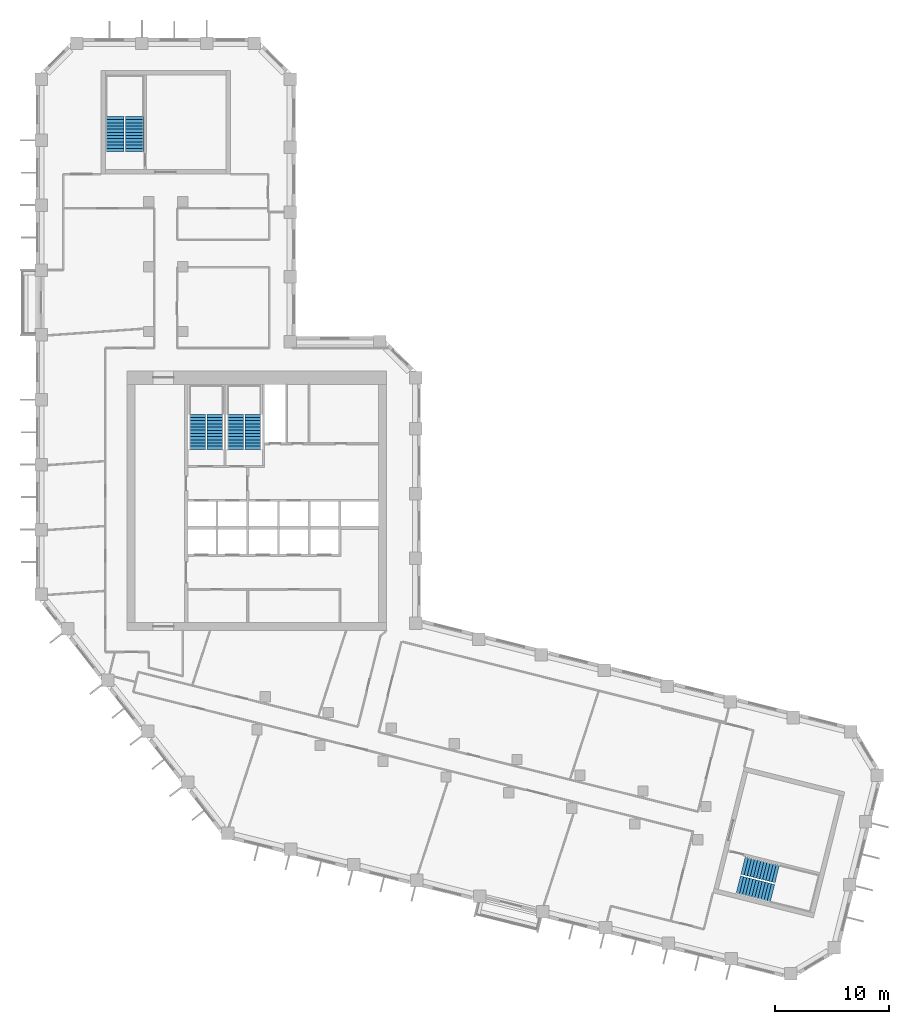
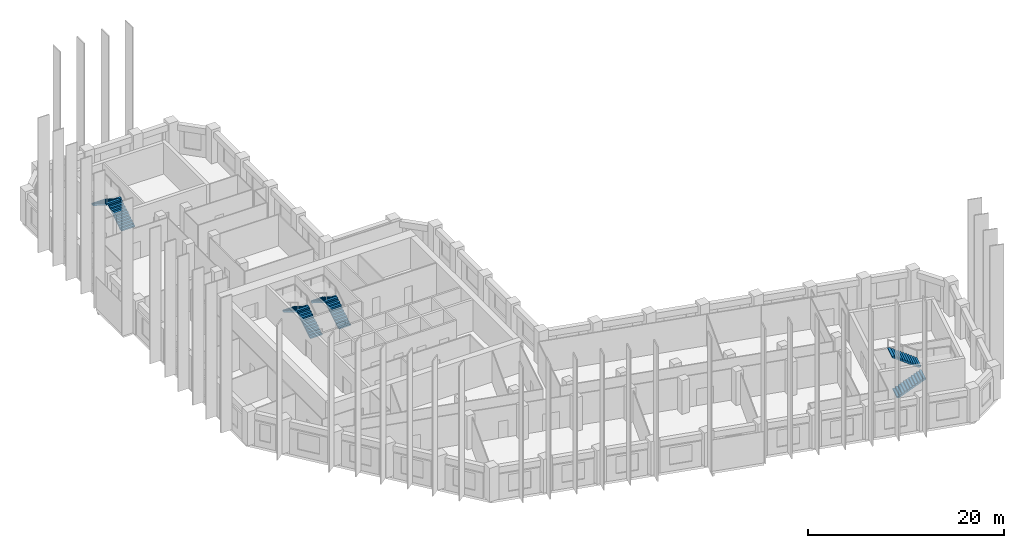
# One storey, part 9 of 10: 8 stair flights, 4 elements without a shape of their own.
"""IFC4 building model written with IfcOpenShell, lengths in metres."""

from ifc_helpers import new_model, si_unit, direction, frame, origin, place, context, subcontext, project, spatial, polyline, outline, extrude, material, type_object, element, aggregate, save


model = new_model("IFC4")

# Units and contexts
model_context = context("Model", 3, precision=1e-05, world=origin(), true_north=direction((0.0, 1.0)))
body_context = subcontext(model_context, "Body", "Model", "MODEL_VIEW")
ifc_project = project(units=[si_unit("LENGTHUNIT", "METRE"), si_unit("AREAUNIT", "SQUARE_METRE"), si_unit("VOLUMEUNIT", "CUBIC_METRE"), si_unit("PLANEANGLEUNIT", "RADIAN"), si_unit("MASSUNIT", "GRAM", prefix="KILO")], contexts=[model_context])

# Site, building, storey
site_placement = place(None, origin())
site = spatial("IfcSite", under=ifc_project, at=site_placement, CompositionType="ELEMENT")
building_placement = place(site_placement, origin())
building = spatial("IfcBuilding", under=site, at=building_placement, Name="Meshkara Civic Tower", CompositionType="ELEMENT")
storey_placement = place(building_placement, frame((0.0, 0.0, 242.39990234375)))
storey = spatial("IfcBuildingStorey", under=building, at=storey_placement, Name="L55", CompositionType="ELEMENT", Elevation=242.39990234375)

# Stair, stair flights
ifc_material_1 = material(Name="Precast concrete C40/50", Category="concrete")
stair_type_1 = type_object("IfcStairType", Name="Exit stair half-turn 24 risers 1600 precast", PredefinedType="HALF_TURN_STAIR", material=ifc_material_1)
stair_1_placement = place(storey_placement, origin())
stair_1 = element("IfcStair", 1, at=stair_1_placement, inside=storey, type_object=stair_type_1, Name="L55 exit stair A from L50", PredefinedType="HALF_TURN_STAIR")
ifc_material_2 = material(Name="Precast concrete C40/50", Category="concrete")
stair_flight_type_1 = type_object("IfcStairFlightType", Name="Exit stair flight 12 risers 1600 precast", PredefinedType="STRAIGHT", material=ifc_material_2)
stair_flight_1_placement = place(storey_placement, frame((8.675048828125, 56.169921875, 0.0), z_axis=(0.0, 0.0, 1.0), x_axis=(0.0, 1.0, 0.0)))
stair_flight_1 = element("IfcStairFlight", 2, at=stair_flight_1_placement, type_object=stair_flight_type_1, Name="ESA4 flight 1", NumberOfRisers=12, NumberOfTreads=11, PredefinedType="STRAIGHT", RiserHeight=0.175, TreadLength=0.28, context=body_context, shape_type="SweptSolid", body=[
    extrude(outline(polyline([(0.0, 0.0), (0.0, 0.175048828125), (0.280029296875, 0.175048828125), (0.280029296875, 0.35009765625), (0.56005859375, 0.35009765625), (0.56005859375, 0.52490234375), (0.840087890625, 0.52490234375), (0.840087890625, 0.699951171875), (1.1201171875, 0.699951171875), (1.1201171875, 0.875), (1.39990234375, 0.875), (1.39990234375, 1.050048828125), (1.679931640625, 1.050048828125), (1.679931640625, 1.22509765625), (1.9599609375, 1.22509765625), (1.9599609375, 1.39990234375), (2.239990234375, 1.39990234375), (2.239990234375, 1.574951171875), (2.52001953125, 1.574951171875), (2.52001953125, 1.75), (2.800048828125, 1.75), (2.800048828125, 1.925048828125), (3.080078125, 1.925048828125), (3.080078125, 2.10009765625), (3.080078125, 1.748291015625), (0.28271484375, 0.0), (0.0, 0.0)])), frame((0.0, 0.800048828125, 0.0), z_axis=(0.0, -1.0, 0.0), x_axis=(1.0, 0.0, 0.0)), (0.0, 0.0, 1.0), 1.60009765625),
])
stair_flight_2_placement = place(storey_placement, frame((6.925048828125, 59.25, 2.10009765625), z_axis=(0.0, 0.0, 1.0), x_axis=(0.0, -1.0, 0.0)))
stair_flight_2 = element("IfcStairFlight", 3, at=stair_flight_2_placement, type_object=stair_flight_type_1, Name="ESA4 flight 2", NumberOfRisers=12, NumberOfTreads=11, PredefinedType="STRAIGHT", RiserHeight=0.175, TreadLength=0.28, context=body_context, shape_type="SweptSolid", body=[
    extrude(outline(polyline([(0.0, 0.0), (0.0, 0.175048828125), (0.280029296875, 0.175048828125), (0.280029296875, 0.35009765625), (0.56005859375, 0.35009765625), (0.56005859375, 0.52490234375), (0.840087890625, 0.52490234375), (0.840087890625, 0.699951171875), (1.1201171875, 0.699951171875), (1.1201171875, 0.875), (1.39990234375, 0.875), (1.39990234375, 1.050048828125), (1.679931640625, 1.050048828125), (1.679931640625, 1.22509765625), (1.9599609375, 1.22509765625), (1.9599609375, 1.39990234375), (2.239990234375, 1.39990234375), (2.239990234375, 1.574951171875), (2.52001953125, 1.574951171875), (2.52001953125, 1.75), (2.800048828125, 1.75), (2.800048828125, 1.925048828125), (3.080078125, 1.925048828125), (3.080078125, 2.10009765625), (3.080078125, 1.748291015625), (0.28271484375, 0.0), (0.0, 0.0)])), frame((0.0, 0.800048828125, 0.0), z_axis=(0.0, -1.0, 0.0), x_axis=(1.0, 0.0, 0.0)), (0.0, 0.0, 1.0), 1.60009765625),
])
aggregate(stair_1, [stair_flight_1, stair_flight_2])

stair_2_placement = place(storey_placement, origin())
stair_2 = element("IfcStair", 4, at=stair_2_placement, inside=storey, type_object=stair_type_1, Name="L55 exit stair B from L50", PredefinedType="HALF_TURN_STAIR")
stair_flight_3_placement = place(storey_placement, frame((61.70751953125, -8.248291015625, 0.0), z_axis=(0.0, 0.0, 1.0), x_axis=(0.970260066579, -0.242064873955, 0.0)))
stair_flight_3 = element("IfcStairFlight", 5, at=stair_flight_3_placement, type_object=stair_flight_type_1, Name="ESB4 flight 1", NumberOfRisers=12, NumberOfTreads=11, PredefinedType="STRAIGHT", RiserHeight=0.175, TreadLength=0.28, context=body_context, shape_type="SweptSolid", body=[
    extrude(outline(polyline([(0.0, 0.0), (0.0, 0.175048828125), (0.280029296875, 0.175048828125), (0.280029296875, 0.35009765625), (0.56005859375, 0.35009765625), (0.56005859375, 0.52490234375), (0.840087890625, 0.52490234375), (0.840087890625, 0.699951171875), (1.1201171875, 0.699951171875), (1.1201171875, 0.875), (1.39990234375, 0.875), (1.39990234375, 1.050048828125), (1.679931640625, 1.050048828125), (1.679931640625, 1.22509765625), (1.9599609375, 1.22509765625), (1.9599609375, 1.39990234375), (2.239990234375, 1.39990234375), (2.239990234375, 1.574951171875), (2.52001953125, 1.574951171875), (2.52001953125, 1.75), (2.800048828125, 1.75), (2.800048828125, 1.925048828125), (3.080078125, 1.925048828125), (3.080078125, 2.10009765625), (3.080078125, 1.748291015625), (0.28271484375, 0.0), (0.0, 0.0)])), frame((0.0, 0.800048828125, 0.0), z_axis=(0.0, -1.0, 0.0), x_axis=(1.0, 0.0, 0.0)), (0.0, 0.0, 1.0), 1.60009765625),
])
stair_flight_4_placement = place(storey_placement, frame((65.11962890625, -7.2958984375, 2.10009765625), z_axis=(0.0, 0.0, 1.0), x_axis=(-0.970260066579, 0.242064873955, 0.0)))
stair_flight_4 = element("IfcStairFlight", 6, at=stair_flight_4_placement, type_object=stair_flight_type_1, Name="ESB4 flight 2", NumberOfRisers=12, NumberOfTreads=11, PredefinedType="STRAIGHT", RiserHeight=0.175, TreadLength=0.28, context=body_context, shape_type="SweptSolid", body=[
    extrude(outline(polyline([(0.0, 0.0), (0.0, 0.175048828125), (0.280029296875, 0.175048828125), (0.280029296875, 0.35009765625), (0.56005859375, 0.35009765625), (0.56005859375, 0.52490234375), (0.840087890625, 0.52490234375), (0.840087890625, 0.699951171875), (1.1201171875, 0.699951171875), (1.1201171875, 0.875), (1.39990234375, 0.875), (1.39990234375, 1.050048828125), (1.679931640625, 1.050048828125), (1.679931640625, 1.22509765625), (1.9599609375, 1.22509765625), (1.9599609375, 1.39990234375), (2.239990234375, 1.39990234375), (2.239990234375, 1.574951171875), (2.52001953125, 1.574951171875), (2.52001953125, 1.75), (2.800048828125, 1.75), (2.800048828125, 1.925048828125), (3.080078125, 1.925048828125), (3.080078125, 2.10009765625), (3.080078125, 1.748291015625), (0.28271484375, 0.0), (0.0, 0.0)])), frame((0.0, 0.800048828125, 0.0), z_axis=(0.0, -1.0, 0.0), x_axis=(1.0, 0.0, 0.0)), (0.0, 0.0, 1.0), 1.60009765625),
])
aggregate(stair_2, [stair_flight_3, stair_flight_4])

ifc_material_3 = material(Name="Precast concrete C40/50", Category="concrete")
stair_type_2 = type_object("IfcStairType", Name="Exit stair half-turn 24 risers precast", PredefinedType="HALF_TURN_STAIR", material=ifc_material_3)
stair_3_placement = place(storey_placement, origin())
stair_3 = element("IfcStair", 7, at=stair_3_placement, inside=storey, type_object=stair_type_2, Name="L55 exit stair 1", PredefinedType="HALF_TURN_STAIR")
ifc_material_4 = material(Name="Precast concrete C40/50", Category="concrete")
stair_flight_type_2 = type_object("IfcStairFlightType", Name="Exit stair flight 12 risers precast", PredefinedType="STRAIGHT", material=ifc_material_4)
stair_flight_5_placement = place(storey_placement, frame((15.72509765625, 30.0, 0.0), z_axis=(0.0, 0.0, 1.0), x_axis=(0.0, 1.0, 0.0)))
stair_flight_5 = element("IfcStairFlight", 8, at=stair_flight_5_placement, type_object=stair_flight_type_2, Name="ST1 flight 1", NumberOfRisers=12, NumberOfTreads=11, PredefinedType="STRAIGHT", RiserHeight=0.175, TreadLength=0.28, context=body_context, shape_type="SweptSolid", body=[
    extrude(outline(polyline([(0.0, 0.0), (0.0, 0.175048828125), (0.280029296875, 0.175048828125), (0.280029296875, 0.35009765625), (0.56005859375, 0.35009765625), (0.56005859375, 0.52490234375), (0.840087890625, 0.52490234375), (0.840087890625, 0.699951171875), (1.1201171875, 0.699951171875), (1.1201171875, 0.875), (1.39990234375, 0.875), (1.39990234375, 1.050048828125), (1.679931640625, 1.050048828125), (1.679931640625, 1.22509765625), (1.9599609375, 1.22509765625), (1.9599609375, 1.39990234375), (2.239990234375, 1.39990234375), (2.239990234375, 1.574951171875), (2.52001953125, 1.574951171875), (2.52001953125, 1.75), (2.800048828125, 1.75), (2.800048828125, 1.925048828125), (3.080078125, 1.925048828125), (3.080078125, 2.10009765625), (3.080078125, 1.748291015625), (0.28271484375, 0.0), (0.0, 0.0)])), frame((0.0, 0.699951171875, 0.0), z_axis=(0.0, -1.0, 0.0), x_axis=(1.0, 0.0, 0.0)), (0.0, 0.0, 1.0), 1.39990234375),
])
stair_flight_6_placement = place(storey_placement, frame((14.175048828125, 33.080078125, 2.10009765625), z_axis=(0.0, 0.0, 1.0), x_axis=(0.0, -1.0, 0.0)))
stair_flight_6 = element("IfcStairFlight", 9, at=stair_flight_6_placement, type_object=stair_flight_type_2, Name="ST1 flight 2", NumberOfRisers=12, NumberOfTreads=11, PredefinedType="STRAIGHT", RiserHeight=0.175, TreadLength=0.28, context=body_context, shape_type="SweptSolid", body=[
    extrude(outline(polyline([(0.0, 0.0), (0.0, 0.175048828125), (0.280029296875, 0.175048828125), (0.280029296875, 0.35009765625), (0.56005859375, 0.35009765625), (0.56005859375, 0.52490234375), (0.840087890625, 0.52490234375), (0.840087890625, 0.699951171875), (1.1201171875, 0.699951171875), (1.1201171875, 0.875), (1.39990234375, 0.875), (1.39990234375, 1.050048828125), (1.679931640625, 1.050048828125), (1.679931640625, 1.22509765625), (1.9599609375, 1.22509765625), (1.9599609375, 1.39990234375), (2.239990234375, 1.39990234375), (2.239990234375, 1.574951171875), (2.52001953125, 1.574951171875), (2.52001953125, 1.75), (2.800048828125, 1.75), (2.800048828125, 1.925048828125), (3.080078125, 1.925048828125), (3.080078125, 2.10009765625), (3.080078125, 1.748291015625), (0.28271484375, 0.0), (0.0, 0.0)])), frame((0.0, 0.699951171875, 0.0), z_axis=(0.0, -1.0, 0.0), x_axis=(1.0, 0.0, 0.0)), (0.0, 0.0, 1.0), 1.39990234375),
])
aggregate(stair_3, [stair_flight_5, stair_flight_6])

stair_4_placement = place(storey_placement, origin())
stair_4 = element("IfcStair", 10, at=stair_4_placement, inside=storey, type_object=stair_type_2, Name="L55 exit stair 2", PredefinedType="HALF_TURN_STAIR")
stair_flight_7_placement = place(storey_placement, frame((19.074951171875, 30.0, 0.0), z_axis=(0.0, 0.0, 1.0), x_axis=(0.0, 1.0, 0.0)))
stair_flight_7 = element("IfcStairFlight", 11, at=stair_flight_7_placement, type_object=stair_flight_type_2, Name="ST2 flight 1", NumberOfRisers=12, NumberOfTreads=11, PredefinedType="STRAIGHT", RiserHeight=0.175, TreadLength=0.28, context=body_context, shape_type="SweptSolid", body=[
    extrude(outline(polyline([(0.0, 0.0), (0.0, 0.175048828125), (0.280029296875, 0.175048828125), (0.280029296875, 0.35009765625), (0.56005859375, 0.35009765625), (0.56005859375, 0.52490234375), (0.840087890625, 0.52490234375), (0.840087890625, 0.699951171875), (1.1201171875, 0.699951171875), (1.1201171875, 0.875), (1.39990234375, 0.875), (1.39990234375, 1.050048828125), (1.679931640625, 1.050048828125), (1.679931640625, 1.22509765625), (1.9599609375, 1.22509765625), (1.9599609375, 1.39990234375), (2.239990234375, 1.39990234375), (2.239990234375, 1.574951171875), (2.52001953125, 1.574951171875), (2.52001953125, 1.75), (2.800048828125, 1.75), (2.800048828125, 1.925048828125), (3.080078125, 1.925048828125), (3.080078125, 2.10009765625), (3.080078125, 1.748291015625), (0.28271484375, 0.0), (0.0, 0.0)])), frame((0.0, 0.699951171875, 0.0), z_axis=(0.0, -1.0, 0.0), x_axis=(1.0, 0.0, 0.0)), (0.0, 0.0, 1.0), 1.39990234375),
])
stair_flight_8_placement = place(storey_placement, frame((17.52490234375, 33.080078125, 2.10009765625), z_axis=(0.0, 0.0, 1.0), x_axis=(0.0, -1.0, 0.0)))
stair_flight_8 = element("IfcStairFlight", 12, at=stair_flight_8_placement, type_object=stair_flight_type_2, Name="ST2 flight 2", NumberOfRisers=12, NumberOfTreads=11, PredefinedType="STRAIGHT", RiserHeight=0.175, TreadLength=0.28, context=body_context, shape_type="SweptSolid", body=[
    extrude(outline(polyline([(0.0, 0.0), (0.0, 0.175048828125), (0.280029296875, 0.175048828125), (0.280029296875, 0.35009765625), (0.56005859375, 0.35009765625), (0.56005859375, 0.52490234375), (0.840087890625, 0.52490234375), (0.840087890625, 0.699951171875), (1.1201171875, 0.699951171875), (1.1201171875, 0.875), (1.39990234375, 0.875), (1.39990234375, 1.050048828125), (1.679931640625, 1.050048828125), (1.679931640625, 1.22509765625), (1.9599609375, 1.22509765625), (1.9599609375, 1.39990234375), (2.239990234375, 1.39990234375), (2.239990234375, 1.574951171875), (2.52001953125, 1.574951171875), (2.52001953125, 1.75), (2.800048828125, 1.75), (2.800048828125, 1.925048828125), (3.080078125, 1.925048828125), (3.080078125, 2.10009765625), (3.080078125, 1.748291015625), (0.28271484375, 0.0), (0.0, 0.0)])), frame((0.0, 0.699951171875, 0.0), z_axis=(0.0, -1.0, 0.0), x_axis=(1.0, 0.0, 0.0)), (0.0, 0.0, 1.0), 1.39990234375),
])
aggregate(stair_4, [stair_flight_7, stair_flight_8])

save(model, "model.ifc")
